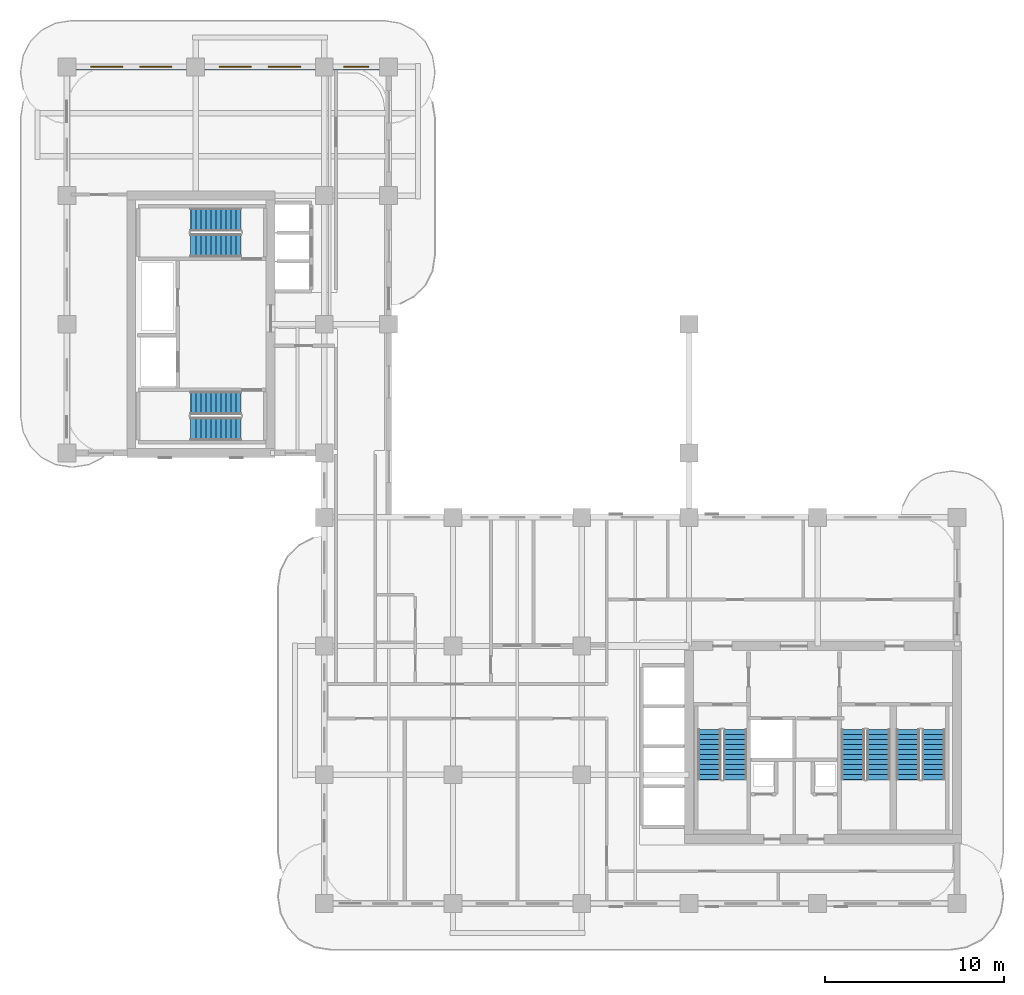
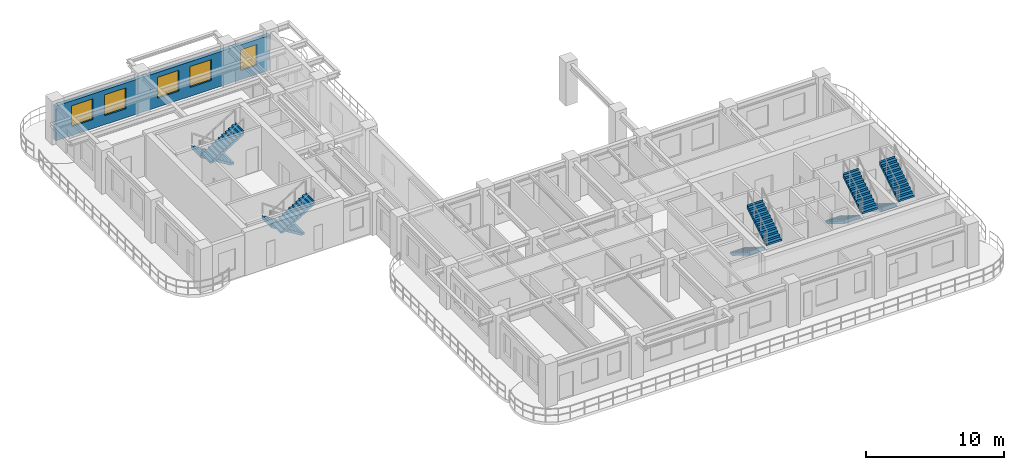
# One storey, part 10 of 15: 10 stair flights, 5 windows, 1 wall, 5 openings, 5 elements without a shape of their own.
"""IFC4 building model written with IfcOpenShell, lengths in metres."""

from ifc_helpers import new_model, si_unit, derived_unit, direction, frame, frame_2d, origin, place, context, subcontext, project, spatial, polyline, rectangle, outline, extrude, source, transform, mapped, material, layer, layer_set, type_object, type_shapes, element, fill, aggregate, save


model = new_model("IFC4")

# Units and contexts
model_context = context("Model", 3, precision=1e-05, world=origin(), true_north=direction((0.0, 1.0)))
body_context = subcontext(model_context, "Body", "Model", "MODEL_VIEW")
ifc_project = project(units=[si_unit("LENGTHUNIT", "METRE"), si_unit("AREAUNIT", "SQUARE_METRE"), si_unit("VOLUMEUNIT", "CUBIC_METRE"), si_unit("PLANEANGLEUNIT", "RADIAN"), si_unit("MASSUNIT", "GRAM", prefix="KILO"), si_unit("THERMODYNAMICTEMPERATUREUNIT", "KELVIN"), si_unit("POWERUNIT", "WATT"), derived_unit("THERMALTRANSMITTANCEUNIT", [(si_unit("POWERUNIT", "WATT"), 1), (si_unit("AREAUNIT", "SQUARE_METRE"), -1), (si_unit("THERMODYNAMICTEMPERATUREUNIT", "KELVIN"), -1)])], contexts=[model_context])

# Site, building, storey
site_placement = place(None, origin())
site = spatial("IfcSite", under=ifc_project, at=site_placement, CompositionType="ELEMENT")
building_placement = place(site_placement, origin())
building = spatial("IfcBuilding", under=site, at=building_placement, Name="Zahravan Archway Hotel and Residences", CompositionType="ELEMENT")
storey_placement = place(building_placement, frame((0.0, 0.0, 184.949951171875)))
storey = spatial("IfcBuildingStorey", under=building, at=storey_placement, Name="L46", CompositionType="ELEMENT", Elevation=184.949951171875)

# Wall, openings, windows
ifc_material_1 = material(Name="Agra Buff Sandstone & Insulated Backup", Category="masonry")
ifc_layer_1 = layer(ifc_material_1, 0.320068359375, Name="Agra Buff Sandstone & Insulated Backup", Category="masonry")
ifc_layer_set_1 = layer_set([ifc_layer_1], Name="Agra Buff Sandstone & Insulated Backup")
wall_type = type_object("IfcWallType", Name="EW-SAND-320", PredefinedType="SOLIDWALL", material=ifc_layer_set_1)
wall_placement = place(storey_placement, frame((0.0, 46.800048828125, 0.0), z_axis=(0.0, 0.0, 1.0), x_axis=(1.0, 0.0, 0.0)))
wall = element("IfcWall", 1, at=wall_placement, inside=storey, type_object=wall_type, Name="L46 Exterior Sandstone Wall WB-N", PredefinedType="SOLIDWALL", context=body_context, shape_type="SweptSolid", body=[
    extrude(rectangle(XDim=18.0, YDim=0.320068359375, at=frame_2d((9.0, 0.0))), origin(), (0.0, 0.0, 1.0), 3.0849609375),
])
opening_1_placement = place(wall_placement, frame((1.324951171875, 0.0, 0.800048828125)))
opening_1 = element("IfcOpeningElement", 2, at=opening_1_placement, cuts=wall, Name="Opening W-02", PredefinedType="OPENING", context=body_context, shape_type="SweptSolid", body=[
    extrude(rectangle(XDim=1.800048828125, YDim=1.85009765625, at=frame_2d((0.89990234375, 0.925048828125))), frame((0.0, 0.169921875, 0.0), z_axis=(0.0, -1.0, 0.0), x_axis=(1.0, 0.0, 0.0)), (0.0, 0.0, 1.0), 0.340087890625),
])
opening_2_placement = place(wall_placement, frame((4.074951171875, 0.0, 0.800048828125)))
opening_2 = element("IfcOpeningElement", 3, at=opening_2_placement, cuts=wall, Name="Opening W-02", PredefinedType="OPENING", context=body_context, shape_type="SweptSolid", body=[
    extrude(rectangle(XDim=1.800048828125, YDim=1.85009765625, at=frame_2d((0.89990234375, 0.925048828125))), frame((0.0, 0.169921875, 0.0), z_axis=(0.0, -1.0, 0.0), x_axis=(1.0, 0.0, 0.0)), (0.0, 0.0, 1.0), 0.340087890625),
])
opening_3_placement = place(wall_placement, frame((8.52490234375, 0.0, 0.800048828125)))
opening_3 = element("IfcOpeningElement", 4, at=opening_3_placement, cuts=wall, Name="Opening W-02", PredefinedType="OPENING", context=body_context, shape_type="SweptSolid", body=[
    extrude(rectangle(XDim=1.800048828125, YDim=1.85009765625, at=frame_2d((0.89990234375, 0.925048828125))), frame((0.0, 0.169921875, 0.0), z_axis=(0.0, -1.0, 0.0), x_axis=(1.0, 0.0, 0.0)), (0.0, 0.0, 1.0), 0.340087890625),
])
opening_4_placement = place(wall_placement, frame((11.27490234375, 0.0, 0.800048828125)))
opening_4 = element("IfcOpeningElement", 5, at=opening_4_placement, cuts=wall, Name="Opening W-02", PredefinedType="OPENING", context=body_context, shape_type="SweptSolid", body=[
    extrude(rectangle(XDim=1.800048828125, YDim=1.85009765625, at=frame_2d((0.89990234375, 0.925048828125))), frame((0.0, 0.169921875, 0.0), z_axis=(0.0, -1.0, 0.0), x_axis=(1.0, 0.0, 0.0)), (0.0, 0.0, 1.0), 0.340087890625),
])
opening_5_placement = place(wall_placement, frame((15.5, 0.0, 0.800048828125)))
opening_5 = element("IfcOpeningElement", 6, at=opening_5_placement, cuts=wall, Name="Opening W-03", PredefinedType="OPENING", context=body_context, shape_type="SweptSolid", body=[
    extrude(rectangle(XDim=1.39990234375, YDim=1.85009765625, at=frame_2d((0.699951171875, 0.925048828125))), frame((0.0, 0.169921875, 0.0), z_axis=(0.0, -1.0, 0.0), x_axis=(1.0, 0.0, 0.0)), (0.0, 0.0, 1.0), 0.340087890625),
])
ifc_material_2 = material(Name="Bronze-Anodized Thermal-Break Aluminium & Low-E Glass", Category="aluminium")
window_type_1 = type_object("IfcWindowType", Name="WIN-TWR-1400", PartitioningType="SINGLE_PANEL", PredefinedType="WINDOW", material=ifc_material_2)
shared_shape_1 = source(origin(), body_context, "Body", "SweptSolid", [
    extrude(rectangle(XDim=1.39990234375, YDim=1.85009765625, at=frame_2d((0.699951171875, 0.925048828125))), frame((0.0, 0.030029296875, 0.0), z_axis=(0.0, -1.0, 0.0), x_axis=(1.0, 0.0, 0.0)), (0.0, 0.0, 1.0), 0.06005859375),
])
type_shapes(window_type_1, [shared_shape_1])
window_1_placement = place(opening_5_placement, origin())
window_1 = element("IfcWindow", 7, at=window_1_placement, inside=storey, type_object=window_type_1, Name="L46 Loggia Window 38", OverallHeight=1.85009765625, OverallWidth=1.39990234375, PartitioningType="SINGLE_PANEL", PredefinedType="WINDOW", context=body_context, shape_type="MappedRepresentation", body=[
    mapped(shared_shape_1, transform((0.0, 0.0, 0.0), scale=1.0)),
])
fill(opening_5, window_1)
window_type_2 = type_object("IfcWindowType", Name="WIN-TWR-1800", PartitioningType="DOUBLE_PANEL_VERTICAL", PredefinedType="WINDOW", material=ifc_material_2)
shared_shape_2 = source(origin(), body_context, "Body", "SweptSolid", [
    extrude(rectangle(XDim=1.800048828125, YDim=1.85009765625, at=frame_2d((0.89990234375, 0.925048828125))), frame((0.0, 0.030029296875, 0.0), z_axis=(0.0, -1.0, 0.0), x_axis=(1.0, 0.0, 0.0)), (0.0, 0.0, 1.0), 0.06005859375),
])
type_shapes(window_type_2, [shared_shape_2])
window_2_placement = place(opening_1_placement, origin())
window_2 = element("IfcWindow", 8, at=window_2_placement, inside=storey, type_object=window_type_2, Name="L46 Loggia Window 34", OverallHeight=1.85009765625, OverallWidth=1.800048828125, PartitioningType="DOUBLE_PANEL_VERTICAL", PredefinedType="WINDOW", context=body_context, shape_type="MappedRepresentation", body=[
    mapped(shared_shape_2, transform((0.0, 0.0, 0.0), scale=1.0)),
])
fill(opening_1, window_2)
window_3_placement = place(opening_2_placement, origin())
window_3 = element("IfcWindow", 9, at=window_3_placement, inside=storey, type_object=window_type_2, Name="L46 Loggia Window 35", OverallHeight=1.85009765625, OverallWidth=1.800048828125, PartitioningType="DOUBLE_PANEL_VERTICAL", PredefinedType="WINDOW", context=body_context, shape_type="MappedRepresentation", body=[
    mapped(shared_shape_2, transform((0.0, 0.0, 0.0), scale=1.0)),
])
fill(opening_2, window_3)
window_4_placement = place(opening_3_placement, origin())
window_4 = element("IfcWindow", 10, at=window_4_placement, inside=storey, type_object=window_type_2, Name="L46 Loggia Window 36", OverallHeight=1.85009765625, OverallWidth=1.800048828125, PartitioningType="DOUBLE_PANEL_VERTICAL", PredefinedType="WINDOW", context=body_context, shape_type="MappedRepresentation", body=[
    mapped(shared_shape_2, transform((0.0, 0.0, 0.0), scale=1.0)),
])
fill(opening_3, window_4)
window_5_placement = place(opening_4_placement, origin())
window_5 = element("IfcWindow", 11, at=window_5_placement, inside=storey, type_object=window_type_2, Name="L46 Loggia Window 37", OverallHeight=1.85009765625, OverallWidth=1.800048828125, PartitioningType="DOUBLE_PANEL_VERTICAL", PredefinedType="WINDOW", context=body_context, shape_type="MappedRepresentation", body=[
    mapped(shared_shape_2, transform((0.0, 0.0, 0.0), scale=1.0)),
])
fill(opening_4, window_5)

# Stair, stair flights
ifc_material_3 = material(Name="Concrete C50/60", Category="concrete")
stair_type = type_object("IfcStairType", Name="STR-CORE-1300", PredefinedType="HALF_TURN_STAIR", material=ifc_material_3)
stair_1_placement = place(storey_placement, origin())
stair_1 = element("IfcStair", 12, at=stair_1_placement, inside=storey, type_object=stair_type, Name="L46 Core A Exit Stair 1", PredefinedType="HALF_TURN_STAIR")
ifc_layer_2 = layer(ifc_material_3, 0.199951171875, Name="Concrete C50/60", Category="concrete")
ifc_layer_set_2 = layer_set([ifc_layer_2], Name="Concrete C50/60")
stair_flight_type = type_object("IfcStairFlightType", Name="SFL-CORE-1300", PredefinedType="STRAIGHT", material=ifc_layer_set_2)
shared_shape_3 = source(origin(), body_context, "Body", "SweptSolid", [
    extrude(outline(polyline([(-0.01611328125, 0.0), (-0.01611328125, 0.175048828125), (0.280029296875, 0.175048828125), (0.280029296875, 0.35009765625), (0.56005859375, 0.35009765625), (0.56005859375, 0.52490234375), (0.840087890625, 0.52490234375), (0.840087890625, 0.699951171875), (1.1201171875, 0.699951171875), (1.1201171875, 0.875), (1.39990234375, 0.875), (1.39990234375, 1.050048828125), (1.679931640625, 1.050048828125), (1.679931640625, 1.22509765625), (1.9599609375, 1.22509765625), (1.9599609375, 1.39990234375), (2.239990234375, 1.39990234375), (2.239990234375, 1.574951171875), (2.52001953125, 1.574951171875), (2.52001953125, 1.75), (2.800048828125, 1.75), (2.800048828125, 1.925048828125), (2.816162109375, 1.925048828125), (2.816162109375, 1.5732421875), (0.28271484375, 0.0), (-0.01611328125, 0.0)])), frame((0.0, 0.64990234375, 0.0), z_axis=(0.0, -1.0, 0.0), x_axis=(1.0, 0.0, 0.0)), (0.0, 0.0, 1.0), 1.300048828125),
])
stair_flight_1_placement = place(storey_placement, frame((35.949951171875, 9.72998046875, 0.0), z_axis=(0.0, 0.0, 1.0), x_axis=(0.0, -1.0, 0.0)))
stair_flight_1 = element("IfcStairFlight", 13, at=stair_flight_1_placement, type_object=stair_flight_type, Name="ST-A1 flight 1", NumberOfRisers=11, NumberOfTreads=10, PredefinedType="STRAIGHT", RiserHeight=0.175, TreadLength=0.28, context=body_context, shape_type="MappedRepresentation", body=[
    mapped(shared_shape_3, transform((0.0, 0.0, 0.0), scale=1.0)),
])
stair_flight_2_placement = place(storey_placement, frame((37.389892578125, 6.929931640625, 1.925048828125), z_axis=(0.0, 0.0, 1.0), x_axis=(0.0, 1.0, 0.0)))
stair_flight_2 = element("IfcStairFlight", 14, at=stair_flight_2_placement, type_object=stair_flight_type, Name="ST-A1 flight 2", NumberOfRisers=11, NumberOfTreads=10, PredefinedType="STRAIGHT", RiserHeight=0.175, TreadLength=0.28, context=body_context, shape_type="MappedRepresentation", body=[
    mapped(shared_shape_3, transform((0.0, 0.0, 0.0), scale=1.0)),
])
aggregate(stair_1, [stair_flight_1, stair_flight_2])

stair_2_placement = place(storey_placement, origin())
stair_2 = element("IfcStair", 15, at=stair_2_placement, inside=storey, type_object=stair_type, Name="L46 Core A Exit Stair 2", PredefinedType="HALF_TURN_STAIR")
stair_flight_3_placement = place(storey_placement, frame((43.969970703125, 9.72998046875, 0.0), z_axis=(0.0, 0.0, 1.0), x_axis=(0.0, -1.0, 0.0)))
stair_flight_3 = element("IfcStairFlight", 16, at=stair_flight_3_placement, type_object=stair_flight_type, Name="ST-A2 flight 1", NumberOfRisers=11, NumberOfTreads=10, PredefinedType="STRAIGHT", RiserHeight=0.175, TreadLength=0.28, context=body_context, shape_type="MappedRepresentation", body=[
    mapped(shared_shape_3, transform((0.0, 0.0, 0.0), scale=1.0)),
])
stair_flight_4_placement = place(storey_placement, frame((45.409912109375, 6.929931640625, 1.925048828125), z_axis=(0.0, 0.0, 1.0), x_axis=(0.0, 1.0, 0.0)))
stair_flight_4 = element("IfcStairFlight", 17, at=stair_flight_4_placement, type_object=stair_flight_type, Name="ST-A2 flight 2", NumberOfRisers=11, NumberOfTreads=10, PredefinedType="STRAIGHT", RiserHeight=0.175, TreadLength=0.28, context=body_context, shape_type="MappedRepresentation", body=[
    mapped(shared_shape_3, transform((0.0, 0.0, 0.0), scale=1.0)),
])
aggregate(stair_2, [stair_flight_3, stair_flight_4])

stair_3_placement = place(storey_placement, origin())
stair_3 = element("IfcStair", 18, at=stair_3_placement, inside=storey, type_object=stair_type, Name="L46 Core A Exit Stair 3", PredefinedType="HALF_TURN_STAIR")
stair_flight_5_placement = place(storey_placement, frame((47.050048828125, 9.72998046875, 0.0), z_axis=(0.0, 0.0, 1.0), x_axis=(0.0, -1.0, 0.0)))
stair_flight_5 = element("IfcStairFlight", 19, at=stair_flight_5_placement, type_object=stair_flight_type, Name="ST-A3 flight 1", NumberOfRisers=11, NumberOfTreads=10, PredefinedType="STRAIGHT", RiserHeight=0.175, TreadLength=0.28, context=body_context, shape_type="MappedRepresentation", body=[
    mapped(shared_shape_3, transform((0.0, 0.0, 0.0), scale=1.0)),
])
stair_flight_6_placement = place(storey_placement, frame((48.489990234375, 6.929931640625, 1.925048828125), z_axis=(0.0, 0.0, 1.0), x_axis=(0.0, 1.0, 0.0)))
stair_flight_6 = element("IfcStairFlight", 20, at=stair_flight_6_placement, type_object=stair_flight_type, Name="ST-A3 flight 2", NumberOfRisers=11, NumberOfTreads=10, PredefinedType="STRAIGHT", RiserHeight=0.175, TreadLength=0.28, context=body_context, shape_type="MappedRepresentation", body=[
    mapped(shared_shape_3, transform((0.0, 0.0, 0.0), scale=1.0)),
])
aggregate(stair_3, [stair_flight_5, stair_flight_6])

stair_4_placement = place(storey_placement, origin())
stair_4 = element("IfcStair", 21, at=stair_4_placement, inside=storey, type_object=stair_type, Name="L46 Core B Exit Stair 1", PredefinedType="HALF_TURN_STAIR")
stair_flight_7_placement = place(storey_placement, frame((9.72998046875, 27.989990234375, 0.0), z_axis=(0.0, 0.0, 1.0), x_axis=(-1.0, 0.0, 0.0)))
stair_flight_7 = element("IfcStairFlight", 22, at=stair_flight_7_placement, type_object=stair_flight_type, Name="ST-B1 flight 1", NumberOfRisers=11, NumberOfTreads=10, PredefinedType="STRAIGHT", RiserHeight=0.175, TreadLength=0.28, context=body_context, shape_type="MappedRepresentation", body=[
    mapped(shared_shape_3, transform((0.0, 0.0, 0.0), scale=1.0)),
])
stair_flight_8_placement = place(storey_placement, frame((6.929931640625, 26.550048828125, 1.925048828125), z_axis=(0.0, 0.0, 1.0), x_axis=(1.0, 0.0, 0.0)))
stair_flight_8 = element("IfcStairFlight", 23, at=stair_flight_8_placement, type_object=stair_flight_type, Name="ST-B1 flight 2", NumberOfRisers=11, NumberOfTreads=10, PredefinedType="STRAIGHT", RiserHeight=0.175, TreadLength=0.28, context=body_context, shape_type="MappedRepresentation", body=[
    mapped(shared_shape_3, transform((0.0, 0.0, 0.0), scale=1.0)),
])
aggregate(stair_4, [stair_flight_7, stair_flight_8])

stair_5_placement = place(storey_placement, origin())
stair_5 = element("IfcStair", 24, at=stair_5_placement, inside=storey, type_object=stair_type, Name="L46 Core B Exit Stair 2", PredefinedType="HALF_TURN_STAIR")
stair_flight_9_placement = place(storey_placement, frame((9.72998046875, 38.25, 0.0), z_axis=(0.0, 0.0, 1.0), x_axis=(-1.0, 0.0, 0.0)))
stair_flight_9 = element("IfcStairFlight", 25, at=stair_flight_9_placement, type_object=stair_flight_type, Name="ST-B2 flight 1", NumberOfRisers=11, NumberOfTreads=10, PredefinedType="STRAIGHT", RiserHeight=0.175, TreadLength=0.28, context=body_context, shape_type="MappedRepresentation", body=[
    mapped(shared_shape_3, transform((0.0, 0.0, 0.0), scale=1.0)),
])
stair_flight_10_placement = place(storey_placement, frame((6.929931640625, 36.81005859375, 1.925048828125), z_axis=(0.0, 0.0, 1.0), x_axis=(1.0, 0.0, 0.0)))
stair_flight_10 = element("IfcStairFlight", 26, at=stair_flight_10_placement, type_object=stair_flight_type, Name="ST-B2 flight 2", NumberOfRisers=11, NumberOfTreads=10, PredefinedType="STRAIGHT", RiserHeight=0.175, TreadLength=0.28, context=body_context, shape_type="MappedRepresentation", body=[
    mapped(shared_shape_3, transform((0.0, 0.0, 0.0), scale=1.0)),
])
aggregate(stair_5, [stair_flight_9, stair_flight_10])

save(model, "model.ifc")
